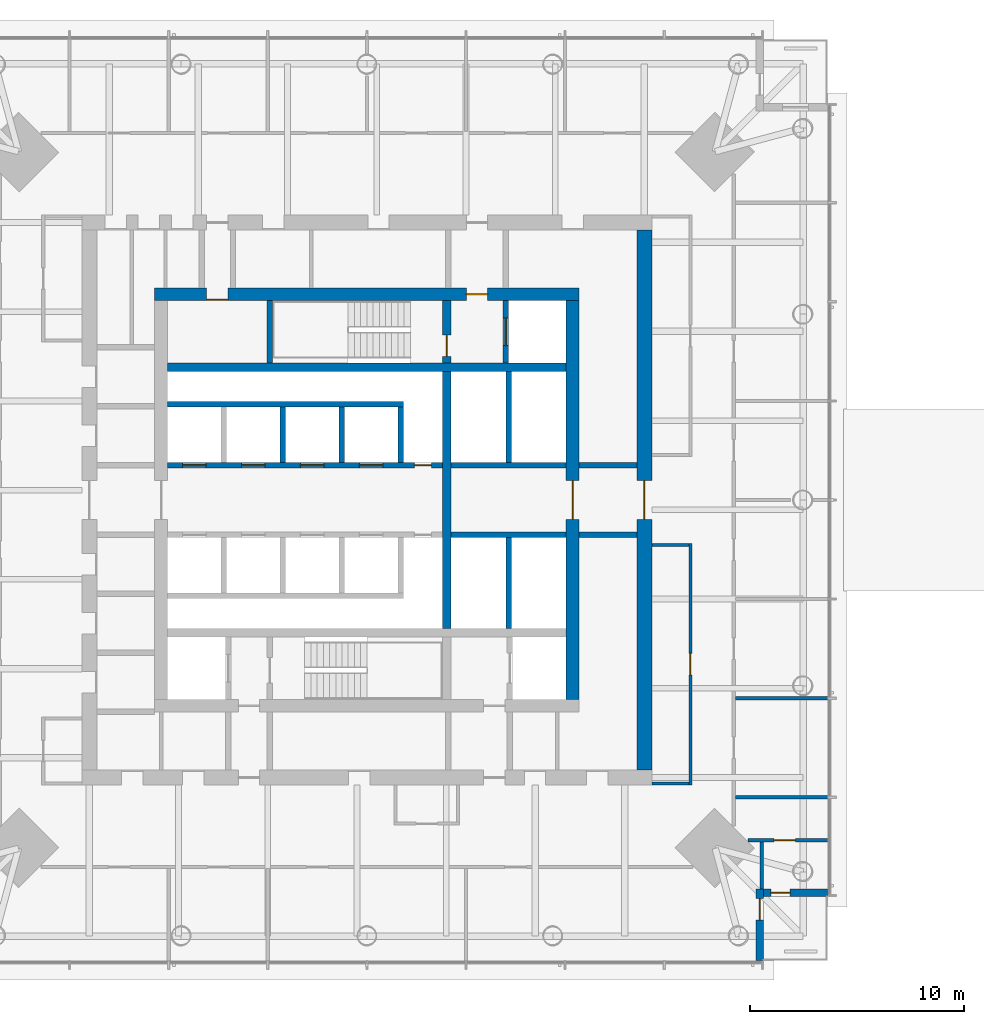
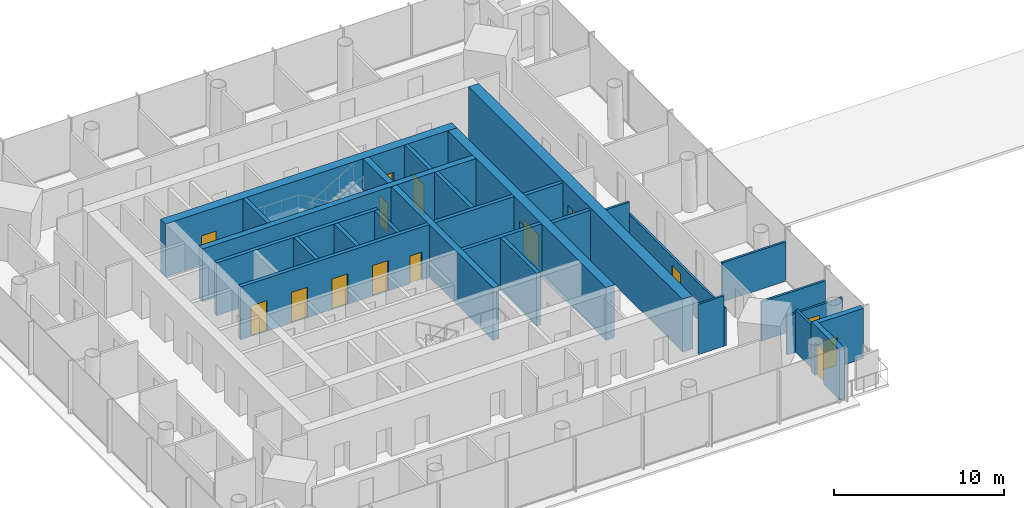
# One storey, part 7 of 16: 28 walls, 15 doors, 15 openings.
"""IFC4 building model written with IfcOpenShell, lengths in metres."""

from ifc_helpers import new_model, si_unit, direction, frame, frame_2d, origin, place, context, subcontext, project, spatial, rectangle, extrude, material, layer, layer_set, type_object, element, fill, save


model = new_model("IFC4")

# Units and contexts
model_context = context("Model", 3, precision=1e-05, world=origin(), true_north=direction((0.0, 1.0)))
body_context = subcontext(model_context, "Body", "Model", "MODEL_VIEW")
ifc_project = project(units=[si_unit("LENGTHUNIT", "METRE"), si_unit("AREAUNIT", "SQUARE_METRE"), si_unit("VOLUMEUNIT", "CUBIC_METRE"), si_unit("PLANEANGLEUNIT", "RADIAN"), si_unit("MASSUNIT", "GRAM", prefix="KILO")], contexts=[model_context])

# Site, building, storey
site_placement = place(None, origin())
site = spatial("IfcSite", under=ifc_project, at=site_placement, CompositionType="ELEMENT")
building_placement = place(site_placement, origin())
building = spatial("IfcBuilding", under=site, at=building_placement, Name="Ostroluk Exchange", CompositionType="ELEMENT")
storey_placement = place(building_placement, frame((0.0, 0.0, 135.0)))
storey = spatial("IfcBuildingStorey", under=building, at=storey_placement, Name="L34", CompositionType="ELEMENT", Elevation=135.0)

# Walls
ifc_material_1 = material(Name="Concrete blockwork", Category="masonry")
ifc_layer_1 = layer(ifc_material_1, 0.25)
ifc_layer_set_1 = layer_set([ifc_layer_1], Name="Blockwork stair enclosure wall 250")
wall_type_1 = type_object("IfcWallType", Name="Blockwork stair enclosure wall 250", PredefinedType="SOLIDWALL", material=ifc_layer_set_1)
for number, where, z_axis, x_axis, name in (
    (1, (54.89990234375, 44.375, 0.0), (0.0, 0.0, 1.0), (1.0, 0.0, 0.0), "Lift lobby enclosure wall"),
    (2, (54.89990234375, 47.625, 0.0), (0.0, 0.0, 1.0), (1.0, 0.0, 0.0), "Lift lobby enclosure wall"),
):
    element("IfcWall", number, at=place(storey_placement, frame(where, z_axis=z_axis, x_axis=x_axis)), inside=storey, type_object=wall_type_1, Name=name, PredefinedType="SOLIDWALL", context=body_context, shape_type="SweptSolid", body=[
        extrude(rectangle(XDim=2.7001953125, YDim=0.25, at=frame_2d((1.35009765625, 0.0))), origin(), (0.0, 0.0, 1.0), 3.6201171875),
    ])
ifc_material_2 = material(Name="Concrete C50/60", Category="concrete")
ifc_layer_2 = layer(ifc_material_2, 0.39990234375)
ifc_layer_set_2 = layer_set([ifc_layer_2], Name="Core cross wall 400 C50/60")
wall_type_2 = type_object("IfcWallType", Name="Core cross wall 400 C50/60", PredefinedType="SHEAR", material=ifc_layer_set_2)
wall_1_placement = place(storey_placement, frame((35.699951171875, 52.199951171875, 0.0), z_axis=(0.0, 0.0, 1.0), x_axis=(1.0, 0.0, 0.0)))
element("IfcWall", 3, at=wall_1_placement, inside=storey, type_object=wall_type_2, Name="T1 core wall XN", PredefinedType="SHEAR", context=body_context, shape_type="SweptSolid", body=[
    extrude(rectangle(XDim=18.60009765625, YDim=0.39990234375, at=frame_2d((9.300048828125, 0.0))), origin(), (0.0, 0.0, 1.0), 3.800048828125),
])
wall_2_placement = place(storey_placement, frame((48.72998046875, 40.0, 0.0), z_axis=(0.0, 0.0, 1.0), x_axis=(0.0, 1.0, 0.0)))
element("IfcWall", 4, at=wall_2_placement, inside=storey, type_object=wall_type_2, Name="T1 core wall YE2", PredefinedType="SHEAR", context=body_context, shape_type="SweptSolid", body=[
    extrude(rectangle(XDim=12.0, YDim=0.39990234375, at=frame_2d((6.0, 0.0))), origin(), (0.0, 0.0, 1.0), 3.800048828125),
])

# Wall, opening, door
wall_3_placement = place(storey_placement, frame((48.72998046875, 52.39990234375, 0.0), z_axis=(0.0, 0.0, 1.0), x_axis=(0.0, 1.0, 0.0)))
wall_3 = element("IfcWall", 5, at=wall_3_placement, inside=storey, type_object=wall_type_2, Name="T1 core wall YE3", PredefinedType="SHEAR", context=body_context, shape_type="SweptSolid", body=[
    extrude(rectangle(XDim=2.900146484375, YDim=0.39990234375, at=frame_2d((1.4501953125, 0.0))), origin(), (0.0, 0.0, 1.0), 3.800048828125),
])
opening_1_placement = place(wall_3_placement, frame((0.300048828125, 0.0, 0.0)))
opening_1 = element("IfcOpeningElement", 6, at=opening_1_placement, cuts=wall_3, Name="Opening FD60", PredefinedType="OPENING", context=body_context, shape_type="SweptSolid", body=[
    extrude(rectangle(XDim=1.0, YDim=2.10009765625, at=frame_2d((0.5, 1.050048828125))), frame((0.0, 0.2099609375, 0.0), z_axis=(0.0, -1.0, 0.0), x_axis=(1.0, 0.0, 0.0)), (0.0, 0.0, 1.0), 0.419921875),
])
ifc_material_3 = material(Name="Steel", Category="steel")
door_type_1 = type_object("IfcDoorType", Name="Fire door EI 60 1000 x 2100", OperationType="SINGLE_SWING_LEFT", PredefinedType="DOOR", material=ifc_material_3)
door_1_placement = place(opening_1_placement, origin())
door_1 = element("IfcDoor", 7, at=door_1_placement, inside=storey, type_object=door_type_1, Name="Stair T1-S2 door", OperationType="SINGLE_SWING_LEFT", OverallHeight=2.10009765625, OverallWidth=1.0, PredefinedType="DOOR", context=body_context, shape_type="SweptSolid", body=[
    extrude(rectangle(XDim=1.0, YDim=2.10009765625, at=frame_2d((0.5, 1.050048828125))), frame((0.0, 0.02490234375, 0.0), z_axis=(0.0, -1.0, 0.0), x_axis=(1.0, 0.0, 0.0)), (0.0, 0.0, 1.0), 0.050048828125),
])
fill(opening_1, door_1)

# Wall
ifc_material_4 = material(Name="Concrete C40/50", Category="concrete")
ifc_layer_3 = layer(ifc_material_4, 0.25)
ifc_layer_set_3 = layer_set([ifc_layer_3], Name="Core shaft wall 250")
wall_type_3 = type_object("IfcWallType", Name="Core shaft wall 250", PredefinedType="SHEAR", material=ifc_layer_set_3)
wall_4_placement = place(storey_placement, frame((40.47509765625, 52.39990234375, 0.0), z_axis=(0.0, 0.0, 1.0), x_axis=(0.0, 1.0, 0.0)))
element("IfcWall", 8, at=wall_4_placement, inside=storey, type_object=wall_type_3, Name="Stair shaft wall", PredefinedType="SHEAR", context=body_context, shape_type="SweptSolid", body=[
    extrude(rectangle(XDim=2.900146484375, YDim=0.25, at=frame_2d((1.4501953125, 0.0))), origin(), (0.0, 0.0, 1.0), 3.800048828125),
])

# Wall, opening, door
wall_5_placement = place(storey_placement, frame((51.47509765625, 52.39990234375, 0.0), z_axis=(0.0, 0.0, 1.0), x_axis=(0.0, 1.0, 0.0)))
wall_5 = element("IfcWall", 9, at=wall_5_placement, inside=storey, type_object=wall_type_3, Name="Firefighting lift shaft wall", PredefinedType="SHEAR", context=body_context, shape_type="SweptSolid", body=[
    extrude(rectangle(XDim=2.900146484375, YDim=0.25, at=frame_2d((1.4501953125, 0.0))), origin(), (0.0, 0.0, 1.0), 3.800048828125),
])
opening_2_placement = place(wall_5_placement, frame((0.800048828125, 0.0, 0.0)))
opening_2 = element("IfcOpeningElement", 10, at=opening_2_placement, cuts=wall_5, Name="Opening LD2", PredefinedType="OPENING", context=body_context, shape_type="SweptSolid", body=[
    extrude(rectangle(XDim=1.300048828125, YDim=2.199951171875, at=frame_2d((0.64990234375, 1.10009765625))), frame((0.0, 0.135009765625, 0.0), z_axis=(0.0, -1.0, 0.0), x_axis=(1.0, 0.0, 0.0)), (0.0, 0.0, 1.0), 0.27001953125),
])
ifc_material_5 = material(Name="Stainless steel", Category="steel")
door_type_2 = type_object("IfcDoorType", Name="Lift landing door E 60 1300 x 2200", OperationType="DOUBLE_DOOR_SLIDING", PredefinedType="DOOR", material=ifc_material_5)
door_2_placement = place(opening_2_placement, origin())
door_2 = element("IfcDoor", 11, at=door_2_placement, inside=storey, type_object=door_type_2, Name="Lift FL2 landing door", OperationType="DOUBLE_DOOR_SLIDING", OverallHeight=2.199951171875, OverallWidth=1.300048828125, PredefinedType="DOOR", context=body_context, shape_type="SweptSolid", body=[
    extrude(rectangle(XDim=1.300048828125, YDim=2.199951171875, at=frame_2d((0.64990234375, 1.10009765625))), frame((0.0, 0.02490234375, 0.0), z_axis=(0.0, -1.0, 0.0), x_axis=(1.0, 0.0, 0.0)), (0.0, 0.0, 1.0), 0.050048828125),
])
fill(opening_2, door_2)

# Walls
for number, where, z_axis, x_axis, name in (
    (12, (41.074951171875, 47.75, 0.0), (0.0, 0.0, 1.0), (0.0, 1.0, 0.0), "Lift shaft wall"),
    (13, (43.824951171875, 47.75, 0.0), (0.0, 0.0, 1.0), (0.0, 1.0, 0.0), "Lift shaft wall"),
    (14, (46.574951171875, 47.75, 0.0), (0.0, 0.0, 1.0), (0.0, 1.0, 0.0), "Lift shaft wall"),
):
    element("IfcWall", number, at=place(storey_placement, frame(where, z_axis=z_axis, x_axis=x_axis)), inside=storey, type_object=wall_type_3, Name=name, PredefinedType="SHEAR", context=body_context, shape_type="SweptSolid", body=[
        extrude(rectangle(XDim=2.60009765625, YDim=0.25, at=frame_2d((1.300048828125, 0.0))), origin(), (0.0, 0.0, 1.0), 3.800048828125),
    ])
wall_6_placement = place(storey_placement, frame((35.699951171875, 50.47509765625, 0.0), z_axis=(0.0, 0.0, 1.0), x_axis=(1.0, 0.0, 0.0)))
element("IfcWall", 15, at=wall_6_placement, inside=storey, type_object=wall_type_3, Name="Lift shaft wall", PredefinedType="SHEAR", context=body_context, shape_type="SweptSolid", body=[
    extrude(rectangle(XDim=11.0, YDim=0.25, at=frame_2d((5.5, 0.0))), origin(), (0.0, 0.0, 1.0), 3.800048828125),
])

# Wall, openings, doors
wall_7_placement = place(storey_placement, frame((35.699951171875, 47.625, 0.0), z_axis=(0.0, 0.0, 1.0), x_axis=(1.0, 0.0, 0.0)))
wall_7 = element("IfcWall", 16, at=wall_7_placement, inside=storey, type_object=wall_type_3, Name="Lift shaft front wall", PredefinedType="SHEAR", context=body_context, shape_type="SweptSolid", body=[
    extrude(rectangle(XDim=12.830078125, YDim=0.25, at=frame_2d((6.4150390625, 0.0))), origin(), (0.0, 0.0, 1.0), 3.800048828125),
])
opening_3_placement = place(wall_7_placement, frame((0.699951171875, 0.0, 0.0)))
opening_3 = element("IfcOpeningElement", 17, at=opening_3_placement, cuts=wall_7, Name="Opening LD", PredefinedType="OPENING", context=body_context, shape_type="SweptSolid", body=[
    extrude(rectangle(XDim=1.10009765625, YDim=2.199951171875, at=frame_2d((0.550048828125, 1.10009765625))), frame((0.0, 0.135009765625, 0.0), z_axis=(0.0, -1.0, 0.0), x_axis=(1.0, 0.0, 0.0)), (0.0, 0.0, 1.0), 0.27001953125),
])
opening_4_placement = place(wall_7_placement, frame((3.449951171875, 0.0, 0.0)))
opening_4 = element("IfcOpeningElement", 18, at=opening_4_placement, cuts=wall_7, Name="Opening LD", PredefinedType="OPENING", context=body_context, shape_type="SweptSolid", body=[
    extrude(rectangle(XDim=1.10009765625, YDim=2.199951171875, at=frame_2d((0.550048828125, 1.10009765625))), frame((0.0, 0.135009765625, 0.0), z_axis=(0.0, -1.0, 0.0), x_axis=(1.0, 0.0, 0.0)), (0.0, 0.0, 1.0), 0.27001953125),
])
opening_5_placement = place(wall_7_placement, frame((6.199951171875, 0.0, 0.0)))
opening_5 = element("IfcOpeningElement", 19, at=opening_5_placement, cuts=wall_7, Name="Opening LD", PredefinedType="OPENING", context=body_context, shape_type="SweptSolid", body=[
    extrude(rectangle(XDim=1.10009765625, YDim=2.199951171875, at=frame_2d((0.550048828125, 1.10009765625))), frame((0.0, 0.135009765625, 0.0), z_axis=(0.0, -1.0, 0.0), x_axis=(1.0, 0.0, 0.0)), (0.0, 0.0, 1.0), 0.27001953125),
])
opening_6_placement = place(wall_7_placement, frame((8.949951171875, 0.0, 0.0)))
opening_6 = element("IfcOpeningElement", 20, at=opening_6_placement, cuts=wall_7, Name="Opening LD", PredefinedType="OPENING", context=body_context, shape_type="SweptSolid", body=[
    extrude(rectangle(XDim=1.10009765625, YDim=2.199951171875, at=frame_2d((0.550048828125, 1.10009765625))), frame((0.0, 0.135009765625, 0.0), z_axis=(0.0, -1.0, 0.0), x_axis=(1.0, 0.0, 0.0)), (0.0, 0.0, 1.0), 0.27001953125),
])
opening_7_placement = place(wall_7_placement, frame((11.514892578125, 0.0, 0.0)))
opening_7 = element("IfcOpeningElement", 21, at=opening_7_placement, cuts=wall_7, Name="Opening RD60", PredefinedType="OPENING", context=body_context, shape_type="SweptSolid", body=[
    extrude(rectangle(XDim=0.800048828125, YDim=2.0, at=frame_2d((0.39990234375, 1.0))), frame((0.0, 0.135009765625, 0.0), z_axis=(0.0, -1.0, 0.0), x_axis=(1.0, 0.0, 0.0)), (0.0, 0.0, 1.0), 0.27001953125),
])
ifc_material_6 = material(Name="Stainless steel", Category="steel")
door_type_3 = type_object("IfcDoorType", Name="Lift landing door E 60 1100 x 2200", OperationType="DOUBLE_DOOR_SLIDING", PredefinedType="DOOR", material=ifc_material_6)
door_3_placement = place(opening_3_placement, origin())
door_3 = element("IfcDoor", 22, at=door_3_placement, inside=storey, type_object=door_type_3, Name="Lift PL-M1 landing door", OperationType="DOUBLE_DOOR_SLIDING", OverallHeight=2.199951171875, OverallWidth=1.10009765625, PredefinedType="DOOR", context=body_context, shape_type="SweptSolid", body=[
    extrude(rectangle(XDim=1.10009765625, YDim=2.199951171875, at=frame_2d((0.550048828125, 1.10009765625))), frame((0.0, 0.02490234375, 0.0), z_axis=(0.0, -1.0, 0.0), x_axis=(1.0, 0.0, 0.0)), (0.0, 0.0, 1.0), 0.050048828125),
])
fill(opening_3, door_3)
door_4_placement = place(opening_4_placement, origin())
door_4 = element("IfcDoor", 23, at=door_4_placement, inside=storey, type_object=door_type_3, Name="Lift PL-M2 landing door", OperationType="DOUBLE_DOOR_SLIDING", OverallHeight=2.199951171875, OverallWidth=1.10009765625, PredefinedType="DOOR", context=body_context, shape_type="SweptSolid", body=[
    extrude(rectangle(XDim=1.10009765625, YDim=2.199951171875, at=frame_2d((0.550048828125, 1.10009765625))), frame((0.0, 0.02490234375, 0.0), z_axis=(0.0, -1.0, 0.0), x_axis=(1.0, 0.0, 0.0)), (0.0, 0.0, 1.0), 0.050048828125),
])
fill(opening_4, door_4)
door_5_placement = place(opening_5_placement, origin())
door_5 = element("IfcDoor", 24, at=door_5_placement, inside=storey, type_object=door_type_3, Name="Lift PL-M3 landing door", OperationType="DOUBLE_DOOR_SLIDING", OverallHeight=2.199951171875, OverallWidth=1.10009765625, PredefinedType="DOOR", context=body_context, shape_type="SweptSolid", body=[
    extrude(rectangle(XDim=1.10009765625, YDim=2.199951171875, at=frame_2d((0.550048828125, 1.10009765625))), frame((0.0, 0.02490234375, 0.0), z_axis=(0.0, -1.0, 0.0), x_axis=(1.0, 0.0, 0.0)), (0.0, 0.0, 1.0), 0.050048828125),
])
fill(opening_5, door_5)
door_6_placement = place(opening_6_placement, origin())
door_6 = element("IfcDoor", 25, at=door_6_placement, inside=storey, type_object=door_type_3, Name="Lift PL-M4 landing door", OperationType="DOUBLE_DOOR_SLIDING", OverallHeight=2.199951171875, OverallWidth=1.10009765625, PredefinedType="DOOR", context=body_context, shape_type="SweptSolid", body=[
    extrude(rectangle(XDim=1.10009765625, YDim=2.199951171875, at=frame_2d((0.550048828125, 1.10009765625))), frame((0.0, 0.02490234375, 0.0), z_axis=(0.0, -1.0, 0.0), x_axis=(1.0, 0.0, 0.0)), (0.0, 0.0, 1.0), 0.050048828125),
])
fill(opening_6, door_6)
ifc_material_7 = material(Name="Steel", Category="steel")
door_type_4 = type_object("IfcDoorType", Name="Riser access door EI 60 800 x 2000", OperationType="SINGLE_SWING_LEFT", PredefinedType="DOOR", material=ifc_material_7)
door_7_placement = place(opening_7_placement, origin())
door_7 = element("IfcDoor", 26, at=door_7_placement, inside=storey, type_object=door_type_4, Name="Riser access door", OperationType="SINGLE_SWING_RIGHT", OverallHeight=2.0, OverallWidth=0.800048828125, PredefinedType="DOOR", context=body_context, shape_type="SweptSolid", body=[
    extrude(rectangle(XDim=0.800048828125, YDim=2.0, at=frame_2d((0.39990234375, 1.0))), frame((0.0, 0.02490234375, 0.0), z_axis=(0.0, -1.0, 0.0), x_axis=(1.0, 0.0, 0.0)), (0.0, 0.0, 1.0), 0.050048828125),
])
fill(opening_7, door_7)

# Walls
wall_8_placement = place(storey_placement, frame((51.614990234375, 47.75, 0.0), z_axis=(0.0, 0.0, 1.0), x_axis=(0.0, 1.0, 0.0)))
element("IfcWall", 27, at=wall_8_placement, inside=storey, type_object=wall_type_3, Name="Lift shaft wall", PredefinedType="SHEAR", context=body_context, shape_type="SweptSolid", body=[
    extrude(rectangle(XDim=4.25, YDim=0.25, at=frame_2d((2.125, 0.0))), origin(), (0.0, 0.0, 1.0), 3.800048828125),
])
wall_9_placement = place(storey_placement, frame((48.929931640625, 47.625, 0.0), z_axis=(0.0, 0.0, 1.0), x_axis=(1.0, 0.0, 0.0)))
element("IfcWall", 28, at=wall_9_placement, inside=storey, type_object=wall_type_3, Name="Lift shaft front wall", PredefinedType="SHEAR", context=body_context, shape_type="SweptSolid", body=[
    extrude(rectangle(XDim=5.3701171875, YDim=0.25, at=frame_2d((2.68505859375, 0.0))), origin(), (0.0, 0.0, 1.0), 3.800048828125),
])
wall_10_placement = place(storey_placement, frame((51.614990234375, 44.25, 0.0), z_axis=(0.0, 0.0, 1.0), x_axis=(0.0, -1.0, 0.0)))
element("IfcWall", 29, at=wall_10_placement, inside=storey, type_object=wall_type_3, Name="Lift shaft wall", PredefinedType="SHEAR", context=body_context, shape_type="SweptSolid", body=[
    extrude(rectangle(XDim=4.25, YDim=0.25, at=frame_2d((2.125, 0.0))), origin(), (0.0, 0.0, 1.0), 3.800048828125),
])
wall_11_placement = place(storey_placement, frame((48.929931640625, 44.375, 0.0), z_axis=(0.0, 0.0, 1.0), x_axis=(1.0, 0.0, 0.0)))
element("IfcWall", 30, at=wall_11_placement, inside=storey, type_object=wall_type_3, Name="Lift shaft front wall", PredefinedType="SHEAR", context=body_context, shape_type="SweptSolid", body=[
    extrude(rectangle(XDim=5.3701171875, YDim=0.25, at=frame_2d((2.68505859375, 0.0))), origin(), (0.0, 0.0, 1.0), 3.800048828125),
])

# Wall, openings, doors
ifc_material_8 = material(Name="Concrete C50/60", Category="concrete")
ifc_layer_4 = layer(ifc_material_8, 0.60009765625)
ifc_layer_set_4 = layer_set([ifc_layer_4], Name="Core wall 600 C50/60")
wall_type_4 = type_object("IfcWallType", Name="Core wall 600 C50/60", PredefinedType="SHEAR", material=ifc_layer_set_4)
wall_12_placement = place(storey_placement, frame((35.10009765625, 55.60009765625, 0.0), z_axis=(0.0, 0.0, 1.0), x_axis=(1.0, 0.0, 0.0)))
wall_12 = element("IfcWall", 31, at=wall_12_placement, inside=storey, type_object=wall_type_4, Name="T1 core wall N", PredefinedType="SHEAR", context=body_context, shape_type="SweptSolid", body=[
    extrude(rectangle(XDim=19.7998046875, YDim=0.60009765625, at=frame_2d((9.89990234375, 0.0))), origin(), (0.0, 0.0, 1.0), 3.800048828125),
])
opening_8_placement = place(wall_12_placement, frame((14.5400390625, 0.0, 0.0)))
opening_8 = element("IfcOpeningElement", 32, at=opening_8_placement, cuts=wall_12, Name="Opening FD60", PredefinedType="OPENING", context=body_context, shape_type="SweptSolid", body=[
    extrude(rectangle(XDim=1.0, YDim=2.10009765625, at=frame_2d((0.5, 1.050048828125))), frame((0.0, 0.31005859375, 0.0), z_axis=(0.0, -1.0, 0.0), x_axis=(1.0, 0.0, 0.0)), (0.0, 0.0, 1.0), 0.6201171875),
])
opening_9_placement = place(wall_12_placement, frame((2.425048828125, 0.0, 0.0)))
opening_9 = element("IfcOpeningElement", 33, at=opening_9_placement, cuts=wall_12, Name="Opening FD60", PredefinedType="OPENING", context=body_context, shape_type="SweptSolid", body=[
    extrude(rectangle(XDim=1.0, YDim=2.10009765625, at=frame_2d((0.5, 1.050048828125))), frame((0.0, 0.31005859375, 0.0), z_axis=(0.0, -1.0, 0.0), x_axis=(1.0, 0.0, 0.0)), (0.0, 0.0, 1.0), 0.6201171875),
])
door_8_placement = place(opening_8_placement, origin())
door_8 = element("IfcDoor", 34, at=door_8_placement, inside=storey, type_object=door_type_1, Name="Firefighting lobby door", OperationType="SINGLE_SWING_RIGHT", OverallHeight=2.10009765625, OverallWidth=1.0, PredefinedType="DOOR", context=body_context, shape_type="SweptSolid", body=[
    extrude(rectangle(XDim=1.0, YDim=2.10009765625, at=frame_2d((0.5, 1.050048828125))), frame((0.0, 0.02490234375, 0.0), z_axis=(0.0, -1.0, 0.0), x_axis=(1.0, 0.0, 0.0)), (0.0, 0.0, 1.0), 0.050048828125),
])
fill(opening_8, door_8)
door_9_placement = place(opening_9_placement, origin())
door_9 = element("IfcDoor", 35, at=door_9_placement, inside=storey, type_object=door_type_1, Name="Tea point door", OperationType="SINGLE_SWING_LEFT", OverallHeight=2.10009765625, OverallWidth=1.0, PredefinedType="DOOR", context=body_context, shape_type="SweptSolid", body=[
    extrude(rectangle(XDim=1.0, YDim=2.10009765625, at=frame_2d((0.5, 1.050048828125))), frame((0.0, -0.23974609375, 0.0), z_axis=(0.0, -1.0, 0.0), x_axis=(1.0, 0.0, 0.0)), (0.0, 0.0, 1.0), 0.050048828125),
])
fill(opening_9, door_9)

# Wall, opening, door
wall_13_placement = place(storey_placement, frame((54.60009765625, 36.699951171875, 0.0), z_axis=(0.0, 0.0, 1.0), x_axis=(0.0, 1.0, 0.0)))
wall_13 = element("IfcWall", 36, at=wall_13_placement, inside=storey, type_object=wall_type_4, Name="T1 core wall E", PredefinedType="SHEAR", context=body_context, shape_type="SweptSolid", body=[
    extrude(rectangle(XDim=18.60009765625, YDim=0.60009765625, at=frame_2d((9.300048828125, 0.0))), origin(), (0.0, 0.0, 1.0), 3.800048828125),
])
opening_10_placement = place(wall_13_placement, frame((8.39990234375, 0.0, 0.0)))
opening_10 = element("IfcOpeningElement", 37, at=opening_10_placement, cuts=wall_13, Name="Opening FD30D", PredefinedType="OPENING", context=body_context, shape_type="SweptSolid", body=[
    extrude(rectangle(XDim=1.800048828125, YDim=2.39990234375, at=frame_2d((0.89990234375, 1.199951171875))), frame((0.0, 0.31005859375, 0.0), z_axis=(0.0, -1.0, 0.0), x_axis=(1.0, 0.0, 0.0)), (0.0, 0.0, 1.0), 0.6201171875),
])
ifc_material_9 = material(Name="Timber", Category="wood")
door_type_5 = type_object("IfcDoorType", Name="Lobby double door EI 30 1800 x 2400", OperationType="DOUBLE_DOOR_SINGLE_SWING", PredefinedType="DOOR", material=ifc_material_9)
door_10_placement = place(opening_10_placement, origin())
door_10 = element("IfcDoor", 38, at=door_10_placement, inside=storey, type_object=door_type_5, Name="Lift lobby doors", OperationType="DOUBLE_DOOR_SINGLE_SWING", OverallHeight=2.39990234375, OverallWidth=1.800048828125, PredefinedType="DOOR", context=body_context, shape_type="SweptSolid", body=[
    extrude(rectangle(XDim=1.800048828125, YDim=2.39990234375, at=frame_2d((0.89990234375, 1.199951171875))), frame((0.0, 0.02490234375, 0.0), z_axis=(0.0, -1.0, 0.0), x_axis=(1.0, 0.0, 0.0)), (0.0, 0.0, 1.0), 0.050048828125),
])
fill(opening_10, door_10)

ifc_material_10 = material(Name="Concrete C50/60", Category="concrete")
ifc_layer_5 = layer(ifc_material_10, 0.699951171875)
ifc_layer_set_5 = layer_set([ifc_layer_5], Name="Core wall 700 C50/60")
wall_type_5 = type_object("IfcWallType", Name="Core wall 700 C50/60", PredefinedType="SHEAR", material=ifc_layer_set_5)
wall_14_placement = place(storey_placement, frame((57.949951171875, 33.39990234375, 0.0), z_axis=(0.0, 0.0, 1.0), x_axis=(0.0, 1.0, 0.0)))
wall_14 = element("IfcWall", 39, at=wall_14_placement, inside=storey, type_object=wall_type_5, Name="T1 core wall RE", PredefinedType="SHEAR", context=body_context, shape_type="SweptSolid", body=[
    extrude(rectangle(XDim=25.2001953125, YDim=0.699951171875, at=frame_2d((12.60009765625, 0.0))), origin(), (0.0, 0.0, 1.0), 3.800048828125),
])
opening_11_placement = place(wall_14_placement, frame((11.699951171875, 0.0, 0.0)))
opening_11 = element("IfcOpeningElement", 40, at=opening_11_placement, cuts=wall_14, Name="Opening FD30D", PredefinedType="OPENING", context=body_context, shape_type="SweptSolid", body=[
    extrude(rectangle(XDim=1.800048828125, YDim=2.39990234375, at=frame_2d((0.89990234375, 1.199951171875))), frame((0.0, 0.35986328125, 0.0), z_axis=(0.0, -1.0, 0.0), x_axis=(1.0, 0.0, 0.0)), (0.0, 0.0, 1.0), 0.719970703125),
])
door_11_placement = place(opening_11_placement, origin())
door_11 = element("IfcDoor", 41, at=door_11_placement, inside=storey, type_object=door_type_5, Name="Lift lobby doors", OperationType="DOUBLE_DOOR_SINGLE_SWING", OverallHeight=2.39990234375, OverallWidth=1.800048828125, PredefinedType="DOOR", context=body_context, shape_type="SweptSolid", body=[
    extrude(rectangle(XDim=1.800048828125, YDim=2.39990234375, at=frame_2d((0.89990234375, 1.199951171875))), frame((0.0, 0.02490234375, 0.0), z_axis=(0.0, -1.0, 0.0), x_axis=(1.0, 0.0, 0.0)), (0.0, 0.0, 1.0), 0.050048828125),
])
fill(opening_11, door_11)

ifc_material_11 = material(Name="Limestone", Category="masonry")
ifc_layer_6 = layer(ifc_material_11, 0.35009765625)
ifc_layer_set_6 = layer_set([ifc_layer_6], Name="Limestone facade wall 350")
wall_type_6 = type_object("IfcWallType", Name="Limestone facade wall 350", PredefinedType="SOLIDWALL", material=ifc_layer_set_6)
wall_15_placement = place(storey_placement, frame((63.324951171875, 24.5, 0.0), z_axis=(0.0, 0.0, 1.0), x_axis=(0.0, 1.0, 0.0)))
wall_15 = element("IfcWall", 42, at=wall_15_placement, inside=storey, type_object=wall_type_6, Name="Office tower SE corner wall L34 a", PredefinedType="SOLIDWALL", context=body_context, shape_type="SweptSolid", body=[
    extrude(rectangle(XDim=3.35009765625, YDim=0.35009765625, at=frame_2d((1.675048828125, 0.0))), origin(), (0.0, 0.0, 1.0), 3.6201171875),
])
opening_12_placement = place(wall_15_placement, frame((1.89990234375, 0.0, 0.0)))
opening_12 = element("IfcOpeningElement", 43, at=opening_12_placement, cuts=wall_15, Name="Opening D-B1", PredefinedType="OPENING", context=body_context, shape_type="SweptSolid", body=[
    extrude(rectangle(XDim=1.0, YDim=2.39990234375, at=frame_2d((0.5, 1.199951171875))), frame((0.0, 0.18505859375, 0.0), z_axis=(0.0, -1.0, 0.0), x_axis=(1.0, 0.0, 0.0)), (0.0, 0.0, 1.0), 0.3701171875),
])
ifc_material_12 = material(Name="Bronze framed glazed door", Category="aluminium")
door_type_6 = type_object("IfcDoorType", Name="Balcony door 1000 x 2400", OperationType="SINGLE_SWING_LEFT", PredefinedType="DOOR", material=ifc_material_12)
door_12_placement = place(opening_12_placement, origin())
door_12 = element("IfcDoor", 44, at=door_12_placement, inside=storey, type_object=door_type_6, Name="Office tower SE balcony door L34", OperationType="SINGLE_SWING_RIGHT", OverallHeight=2.39990234375, OverallWidth=1.0, PredefinedType="DOOR", context=body_context, shape_type="SweptSolid", body=[
    extrude(rectangle(XDim=1.0, YDim=2.39990234375, at=frame_2d((0.5, 1.199951171875))), frame((0.0, 0.02490234375, 0.0), z_axis=(0.0, -1.0, 0.0), x_axis=(1.0, 0.0, 0.0)), (0.0, 0.0, 1.0), 0.050048828125),
])
fill(opening_12, door_12)

wall_16_placement = place(storey_placement, frame((63.5, 27.675048828125, 0.0), z_axis=(0.0, 0.0, 1.0), x_axis=(1.0, 0.0, 0.0)))
wall_16 = element("IfcWall", 45, at=wall_16_placement, inside=storey, type_object=wall_type_6, Name="Office tower SE corner wall L34 b", PredefinedType="SOLIDWALL", context=body_context, shape_type="SweptSolid", body=[
    extrude(rectangle(XDim=3.0, YDim=0.35009765625, at=frame_2d((1.5, 0.0))), origin(), (0.0, 0.0, 1.0), 3.6201171875),
])
opening_13_placement = place(wall_16_placement, frame((0.35009765625, 0.0, 0.0)))
opening_13 = element("IfcOpeningElement", 46, at=opening_13_placement, cuts=wall_16, Name="Opening D-M1", PredefinedType="OPENING", context=body_context, shape_type="SweptSolid", body=[
    extrude(rectangle(XDim=0.89990234375, YDim=2.10009765625, at=frame_2d((0.449951171875, 1.050048828125))), frame((0.0, 0.18505859375, 0.0), z_axis=(0.0, -1.0, 0.0), x_axis=(1.0, 0.0, 0.0)), (0.0, 0.0, 1.0), 0.3701171875),
])
ifc_material_13 = material(Name="Steel door", Category="steel")
door_type_7 = type_object("IfcDoorType", Name="Maintenance access door 900 x 2100", OperationType="SINGLE_SWING_LEFT", PredefinedType="DOOR", material=ifc_material_13)
door_13_placement = place(opening_13_placement, origin())
door_13 = element("IfcDoor", 47, at=door_13_placement, inside=storey, type_object=door_type_7, Name="Maintenance access door T1 L34 SE", OperationType="SINGLE_SWING_LEFT", OverallHeight=2.10009765625, OverallWidth=0.89990234375, PredefinedType="DOOR", context=body_context, shape_type="SweptSolid", body=[
    extrude(rectangle(XDim=0.89990234375, YDim=2.10009765625, at=frame_2d((0.449951171875, 1.050048828125))), frame((0.0, 0.02490234375, 0.0), z_axis=(0.0, -1.0, 0.0), x_axis=(1.0, 0.0, 0.0)), (0.0, 0.0, 1.0), 0.050048828125),
])
fill(opening_13, door_13)

ifc_material_14 = material(Name="Gypsum plasterboard partition", Category="gypsum")
ifc_layer_7 = layer(ifc_material_14, 0.14990234375)
ifc_layer_set_7 = layer_set([ifc_layer_7], Name="Plasterboard partition 150")
wall_type_7 = type_object("IfcWallType", Name="Plasterboard partition 150", PredefinedType="PARTITIONING", material=ifc_layer_set_7)
wall_17_placement = place(storey_placement, frame((60.10009765625, 32.699951171875, 0.0), z_axis=(0.0, 0.0, 1.0), x_axis=(0.0, 1.0, 0.0)))
wall_17 = element("IfcWall", 48, at=wall_17_placement, inside=storey, type_object=wall_type_7, Name="Partition", PredefinedType="PARTITIONING", context=body_context, shape_type="SweptSolid", body=[
    extrude(rectangle(XDim=11.275146484375, YDim=0.14990234375, at=frame_2d((5.6376953125, 0.0))), origin(), (0.0, 0.0, 1.0), 2.719970703125),
])
opening_14_placement = place(wall_17_placement, frame((5.137451171875, 0.0, 0.0)))
opening_14 = element("IfcOpeningElement", 49, at=opening_14_placement, cuts=wall_17, Name="Opening D-03", PredefinedType="OPENING", context=body_context, shape_type="SweptSolid", body=[
    extrude(rectangle(XDim=1.0, YDim=2.10009765625, at=frame_2d((0.5, 1.050048828125))), frame((0.0, 0.0849609375, 0.0), z_axis=(0.0, -1.0, 0.0), x_axis=(1.0, 0.0, 0.0)), (0.0, 0.0, 1.0), 0.169921875),
])
ifc_material_15 = material(Name="Timber", Category="wood")
door_type_8 = type_object("IfcDoorType", Name="Internal door 1000 x 2100", OperationType="SINGLE_SWING_LEFT", PredefinedType="DOOR", material=ifc_material_15)
door_14_placement = place(opening_14_placement, origin())
door_14 = element("IfcDoor", 50, at=door_14_placement, inside=storey, type_object=door_type_8, Name="Project room door", OperationType="SINGLE_SWING_RIGHT", OverallHeight=2.10009765625, OverallWidth=1.0, PredefinedType="DOOR", context=body_context, shape_type="SweptSolid", body=[
    extrude(rectangle(XDim=1.0, YDim=2.10009765625, at=frame_2d((0.5, 1.050048828125))), frame((0.0, 0.02490234375, 0.0), z_axis=(0.0, -1.0, 0.0), x_axis=(1.0, 0.0, 0.0)), (0.0, 0.0, 1.0), 0.050048828125),
])
fill(opening_14, door_14)

# Walls
for number, where, z_axis, x_axis, name in (
    (51, (58.300048828125, 32.77490234375, 0.0), (0.0, 0.0, 1.0), (1.0, 0.0, 0.0), "Partition"),
    (52, (58.300048828125, 43.89990234375, 0.0), (0.0, 0.0, 1.0), (1.0, 0.0, 0.0), "Partition"),
):
    element("IfcWall", number, at=place(storey_placement, frame(where, z_axis=z_axis, x_axis=x_axis)), inside=storey, type_object=wall_type_7, Name=name, PredefinedType="PARTITIONING", context=body_context, shape_type="SweptSolid", body=[
        extrude(rectangle(XDim=1.724853515625, YDim=0.14990234375, at=frame_2d((0.8623046875, 0.0))), origin(), (0.0, 0.0, 1.0), 3.6201171875),
    ])
for number, where, z_axis, x_axis, name in (
    (53, (62.199951171875, 32.125, 0.0), (0.0, 0.0, 1.0), (1.0, 0.0, 0.0), "Partition"),
    (54, (62.199951171875, 36.75, 0.0), (0.0, 0.0, 1.0), (1.0, 0.0, 0.0), "Partition"),
):
    element("IfcWall", number, at=place(storey_placement, frame(where, z_axis=z_axis, x_axis=x_axis)), inside=storey, type_object=wall_type_7, Name=name, PredefinedType="PARTITIONING", context=body_context, shape_type="SweptSolid", body=[
        extrude(rectangle(XDim=4.340087890625, YDim=0.14990234375, at=frame_2d((2.169921875, 0.0))), origin(), (0.0, 0.0, 1.0), 2.820068359375),
    ])

# Wall, opening, door
wall_18_placement = place(storey_placement, frame((62.78857421875, 30.125, 0.0), z_axis=(0.0, 0.0, 1.0), x_axis=(1.0, 0.0, 0.0)))
wall_18 = element("IfcWall", 55, at=wall_18_placement, inside=storey, type_object=wall_type_7, Name="Partition", PredefinedType="PARTITIONING", context=body_context, shape_type="SweptSolid", body=[
    extrude(rectangle(XDim=3.75146484375, YDim=0.14990234375, at=frame_2d((1.875732421875, 0.0))), origin(), (0.0, 0.0, 1.0), 2.820068359375),
])
opening_15_placement = place(wall_18_placement, frame((1.21142578125, 0.0, 0.0)))
opening_15 = element("IfcOpeningElement", 56, at=opening_15_placement, cuts=wall_18, Name="Opening D-03", PredefinedType="OPENING", context=body_context, shape_type="SweptSolid", body=[
    extrude(rectangle(XDim=1.0, YDim=2.10009765625, at=frame_2d((0.5, 1.050048828125))), frame((0.0, 0.0849609375, 0.0), z_axis=(0.0, -1.0, 0.0), x_axis=(1.0, 0.0, 0.0)), (0.0, 0.0, 1.0), 0.169921875),
])
door_15_placement = place(opening_15_placement, origin())
door_15 = element("IfcDoor", 57, at=door_15_placement, inside=storey, type_object=door_type_8, Name="Facade maintenance store door", OperationType="SINGLE_SWING_LEFT", OverallHeight=2.10009765625, OverallWidth=1.0, PredefinedType="DOOR", context=body_context, shape_type="SweptSolid", body=[
    extrude(rectangle(XDim=1.0, YDim=2.10009765625, at=frame_2d((0.5, 1.050048828125))), frame((0.0, 0.02490234375, 0.0), z_axis=(0.0, -1.0, 0.0), x_axis=(1.0, 0.0, 0.0)), (0.0, 0.0, 1.0), 0.050048828125),
])
fill(opening_15, door_15)

# Wall
wall_19_placement = place(storey_placement, frame((63.425048828125, 30.050048828125, 0.0), z_axis=(0.0, 0.0, 1.0), x_axis=(0.0, -1.0, 0.0)))
element("IfcWall", 58, at=wall_19_placement, inside=storey, type_object=wall_type_7, Name="Partition", PredefinedType="PARTITIONING", context=body_context, shape_type="SweptSolid", body=[
    extrude(rectangle(XDim=2.199951171875, YDim=0.14990234375, at=frame_2d((1.10009765625, 0.0))), origin(), (0.0, 0.0, 1.0), 3.070068359375),
])

save(model, "model.ifc")
